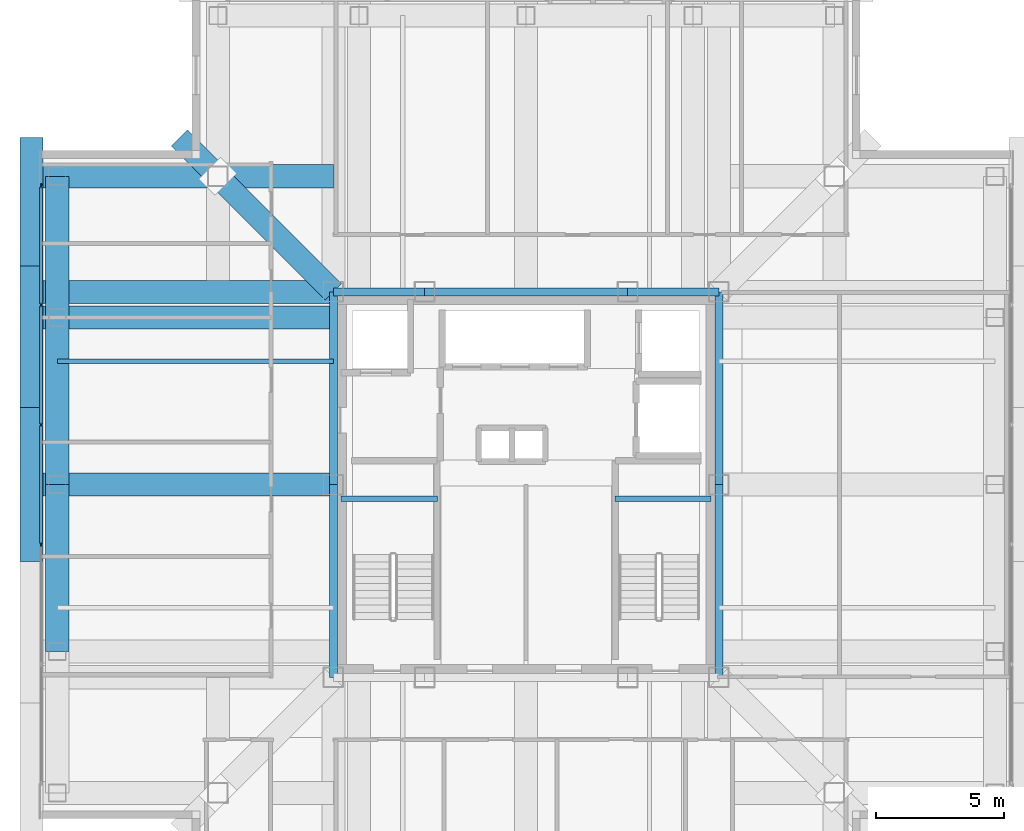
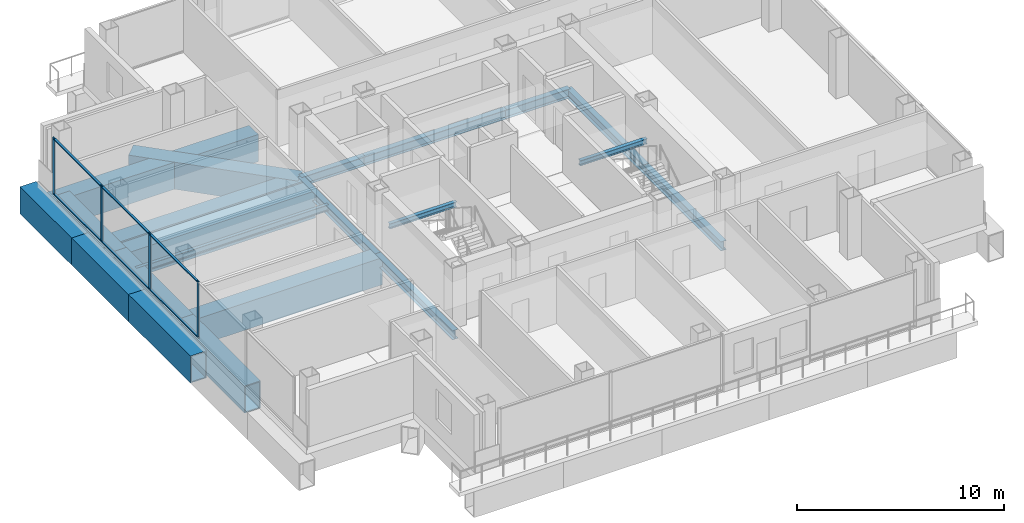
# One storey, part 4 of 15: 21 beams, 10 members, 1 element without a shape of its own.
"""IFC4 building model written with IfcOpenShell, lengths in metres."""

from ifc_helpers import new_model, si_unit, direction, frame, origin, origin_2d, place, context, subcontext, project, spatial, rectangle, hollow_rectangle, i_section, extrude, material, layer, layer_set, material_profile, profile_set, type_object, element, aggregate, save


model = new_model("IFC4")

# Units and contexts
model_context = context("Model", 3, precision=1e-05, world=origin(), true_north=direction((0.0, 1.0)))
body_context = subcontext(model_context, "Body", "Model", "MODEL_VIEW")
ifc_project = project(units=[si_unit("LENGTHUNIT", "METRE"), si_unit("AREAUNIT", "SQUARE_METRE"), si_unit("VOLUMEUNIT", "CUBIC_METRE"), si_unit("PLANEANGLEUNIT", "RADIAN"), si_unit("MASSUNIT", "GRAM", prefix="KILO")], contexts=[model_context])

# Site, building, storey
site_placement = place(None, origin())
site = spatial("IfcSite", under=ifc_project, at=site_placement, CompositionType="ELEMENT")
building_placement = place(site_placement, origin())
building = spatial("IfcBuilding", under=site, at=building_placement, Name="Trevonay Congress Spire", CompositionType="ELEMENT")
storey_placement = place(building_placement, frame((0.0, 0.0, 232.39990234375)))
storey = spatial("IfcBuildingStorey", under=building, at=storey_placement, Name="L60", CompositionType="ELEMENT", Elevation=232.39990234375)

# Beams
ifc_material_1 = material(Name="Steel ASTM A572 Grade 50", Category="steel")
ifc_material_profile_1 = material_profile(ifc_material_1, i_section(OverallWidth=0.31201171875, OverallDepth=0.54296875, WebThickness=0.0126953125, FlangeThickness=0.020263671875, FilletRadius=0.014892578125, at=origin_2d()), Name="W530x150")
ifc_profile_set_1 = profile_set([ifc_material_profile_1], Name="Steel ASTM A572 Grade 50")
beam_type_1 = type_object("IfcBeamType", Name="BM-GIRD-W530X150", PredefinedType="BEAM", material=ifc_profile_set_1)
beam_1_placement = place(storey_placement, frame((-7.5, 7.5, -0.67138671875), z_axis=(1.0, 0.0, 0.0), x_axis=(0.0, 1.0, 0.0)))
element("IfcBeam", 1, at=beam_1_placement, inside=storey, type_object=beam_type_1, Name="L60 structural beam BM-L60-CR-N1", PredefinedType="BEAM", context=body_context, shape_type="SweptSolid", body=[
    extrude(i_section(OverallWidth=0.31201171875, OverallDepth=0.54296875, WebThickness=0.0126953125, FlangeThickness=0.020263671875, FilletRadius=0.014892578125, at=origin_2d()), origin(), (0.0, 0.0, 1.0), 3.550048828125),
])
beam_2_placement = place(storey_placement, frame((-3.949951171875, 7.5, -0.67138671875), z_axis=(1.0, 0.0, 0.0), x_axis=(0.0, 1.0, 0.0)))
element("IfcBeam", 2, at=beam_2_placement, inside=storey, type_object=beam_type_1, Name="L60 structural beam BM-L60-CR-N2", PredefinedType="BEAM", context=body_context, shape_type="SweptSolid", body=[
    extrude(i_section(OverallWidth=0.31201171875, OverallDepth=0.54296875, WebThickness=0.0126953125, FlangeThickness=0.020263671875, FilletRadius=0.014892578125, at=origin_2d()), origin(), (0.0, 0.0, 1.0), 7.89990234375),
])
beam_3_placement = place(storey_placement, frame((3.949951171875, 7.5, -0.67138671875), z_axis=(1.0, 0.0, 0.0), x_axis=(0.0, 1.0, 0.0)))
element("IfcBeam", 3, at=beam_3_placement, inside=storey, type_object=beam_type_1, Name="L60 structural beam BM-L60-CR-N3", PredefinedType="BEAM", context=body_context, shape_type="SweptSolid", body=[
    extrude(i_section(OverallWidth=0.31201171875, OverallDepth=0.54296875, WebThickness=0.0126953125, FlangeThickness=0.020263671875, FilletRadius=0.014892578125, at=origin_2d()), origin(), (0.0, 0.0, 1.0), 3.550048828125),
])
for number, where, z_axis, x_axis, name in (
    (4, (-7.5, -7.5, -0.67138671875), (0.0, 1.0, 0.0), (-1.0, 0.0, 0.0), "L60 structural beam BM-L60-CR-W1"),
    (5, (-7.5, 0.0, -0.67138671875), (0.0, 1.0, 0.0), (-1.0, 0.0, 0.0), "L60 structural beam BM-L60-CR-W2"),
    (6, (7.5, -7.5, -0.67138671875), (0.0, 1.0, 0.0), (-1.0, 0.0, 0.0), "L60 structural beam BM-L60-CR-E1"),
    (7, (7.5, 0.0, -0.67138671875), (0.0, 1.0, 0.0), (-1.0, 0.0, 0.0), "L60 structural beam BM-L60-CR-E2"),
):
    element("IfcBeam", number, at=place(storey_placement, frame(where, z_axis=z_axis, x_axis=x_axis)), inside=storey, type_object=beam_type_1, Name=name, PredefinedType="BEAM", context=body_context, shape_type="SweptSolid", body=[
        extrude(i_section(OverallWidth=0.31201171875, OverallDepth=0.54296875, WebThickness=0.0126953125, FlangeThickness=0.020263671875, FilletRadius=0.014892578125, at=origin_2d()), origin(), (0.0, 0.0, 1.0), 7.5),
    ])
ifc_material_profile_2 = material_profile(ifc_material_1, hollow_rectangle(XDim=0.89990234375, YDim=1.60009765625, WallThickness=0.06005859375, at=origin_2d()), Name="BOX 1600x900x60")
ifc_profile_set_2 = profile_set([ifc_material_profile_2], Name="Steel ASTM A572 Grade 50")
beam_type_2 = type_object("IfcBeamType", Name="BM-RING-BOX1600", PredefinedType="BEAM", material=ifc_profile_set_2)
for number, where, z_axis, x_axis, name in (
    (8, (-18.25, -6.5, -1.199951171875), (0.0, 1.0, 0.0), (-1.0, 0.0, 0.0), "L60 structural beam BM-L60-PW2"),
    (9, (-18.25, 0.0, -1.199951171875), (0.0, 1.0, 0.0), (-1.0, 0.0, 0.0), "L60 structural beam BM-L60-PW3"),
):
    element("IfcBeam", number, at=place(storey_placement, frame(where, z_axis=z_axis, x_axis=x_axis)), inside=storey, type_object=beam_type_2, Name=name, PredefinedType="BEAM", context=body_context, shape_type="SweptSolid", body=[
        extrude(hollow_rectangle(XDim=0.89990234375, YDim=1.60009765625, WallThickness=0.06005859375, at=origin_2d()), origin(), (0.0, 0.0, 1.0), 6.5),
    ])
beam_4_placement = place(storey_placement, frame((-18.25, 6.5, -1.199951171875), z_axis=(0.0, 1.0, 0.0), x_axis=(-1.0, 0.0, 0.0)))
element("IfcBeam", 10, at=beam_4_placement, inside=storey, type_object=beam_type_2, Name="L60 structural beam BM-L60-PW4", PredefinedType="BEAM", context=body_context, shape_type="SweptSolid", body=[
    extrude(hollow_rectangle(XDim=0.89990234375, YDim=1.60009765625, WallThickness=0.06005859375, at=origin_2d()), origin(), (0.0, 0.0, 1.0), 5.5),
])
beam_5_placement = place(storey_placement, frame((-19.25, -3.0, -1.199951171875), z_axis=(0.0, 1.0, 0.0), x_axis=(-1.0, 0.0, 0.0)))
element("IfcBeam", 11, at=beam_5_placement, inside=storey, type_object=beam_type_2, Name="L60 structural beam XOUT-L60-W2", PredefinedType="BEAM", context=body_context, shape_type="SweptSolid", body=[
    extrude(hollow_rectangle(XDim=0.89990234375, YDim=1.60009765625, WallThickness=0.06005859375, at=origin_2d()), origin(), (0.0, 0.0, 1.0), 6.0),
])
beam_6_placement = place(storey_placement, frame((-19.25, 3.0, -1.199951171875), z_axis=(0.0, 1.0, 0.0), x_axis=(-1.0, 0.0, 0.0)))
element("IfcBeam", 12, at=beam_6_placement, inside=storey, type_object=beam_type_2, Name="L60 structural beam XOUT-L60-W3", PredefinedType="BEAM", context=body_context, shape_type="SweptSolid", body=[
    extrude(hollow_rectangle(XDim=0.89990234375, YDim=1.60009765625, WallThickness=0.06005859375, at=origin_2d()), origin(), (0.0, 0.0, 1.0), 5.5),
])
beam_7_placement = place(storey_placement, frame((-19.25, 8.5, -1.199951171875), z_axis=(0.0, 1.0, 0.0), x_axis=(-1.0, 0.0, 0.0)))
element("IfcBeam", 13, at=beam_7_placement, inside=storey, type_object=beam_type_2, Name="L60 structural beam XOUT-L60-W4", PredefinedType="BEAM", context=body_context, shape_type="SweptSolid", body=[
    extrude(hollow_rectangle(XDim=0.89990234375, YDim=1.60009765625, WallThickness=0.06005859375, at=origin_2d()), origin(), (0.0, 0.0, 1.0), 5.0),
])
ifc_material_profile_3 = material_profile(ifc_material_1, hollow_rectangle(XDim=0.89990234375, YDim=1.60009765625, WallThickness=0.06005859375, at=origin_2d()), Name="BOX 1600x900x60")
ifc_profile_set_3 = profile_set([ifc_material_profile_3], Name="Steel ASTM A572 Grade 50")
beam_type_3 = type_object("IfcBeamType", Name="BM-XFER-BOX1600", PredefinedType="BEAM", material=ifc_profile_set_3)
beam_8_placement = place(storey_placement, frame((-7.5, 7.5, -1.199951171875), z_axis=(-0.707106781187, 0.707106781187, 0.0), x_axis=(-0.707106781187, -0.707106781187, 0.0)))
element("IfcBeam", 14, at=beam_8_placement, inside=storey, type_object=beam_type_3, Name="L60 structural beam BM-L60-CDNW", PredefinedType="BEAM", context=body_context, shape_type="SweptSolid", body=[
    extrude(hollow_rectangle(XDim=0.89990234375, YDim=1.60009765625, WallThickness=0.06005859375, at=origin_2d()), origin(), (0.0, 0.0, 1.0), 8.4853515625),
])
for number, where, z_axis, x_axis, name in (
    (15, (-7.5, 7.5, -1.199951171875), (-1.0, 0.0, 0.0), (0.0, -1.0, 0.0), "L60 structural beam XSPN-L60-CX-NW"),
    (16, (-7.5, 0.0, -1.199951171875), (-1.0, 0.0, 0.0), (0.0, -1.0, 0.0), "L60 structural beam XFER-L60-W2"),
    (17, (-7.5, 6.5, -1.199951171875), (-1.0, 0.0, 0.0), (0.0, -1.0, 0.0), "L60 structural beam XFER-L60-W3"),
    (18, (-7.5, 12.0, -1.199951171875), (-1.0, 0.0, 0.0), (0.0, -1.0, 0.0), "L60 structural beam XFER-L60-W4"),
):
    element("IfcBeam", number, at=place(storey_placement, frame(where, z_axis=z_axis, x_axis=x_axis)), inside=storey, type_object=beam_type_3, Name=name, PredefinedType="BEAM", context=body_context, shape_type="SweptSolid", body=[
        extrude(hollow_rectangle(XDim=0.89990234375, YDim=1.60009765625, WallThickness=0.06005859375, at=origin_2d()), origin(), (0.0, 0.0, 1.0), 11.75),
    ])

# Curtain wall, members
ifc_material_2 = material(Name="Pale Anodised Aluminium EN AW-6063-T6", Category="aluminium")
ifc_layer = layer(ifc_material_2, 0.1650390625, Name="Pale Anodised Aluminium EN AW-6063-T6")
ifc_layer_set = layer_set([ifc_layer], Name="Pale Anodised Aluminium EN AW-6063-T6")
curtain_wall_type = type_object("IfcCurtainWallType", Name="CW-SYS05-DIPLOM-PALE-METAL", PredefinedType="NOTDEFINED", material=ifc_layer_set)
curtain_wall_placement = place(storey_placement, origin())
curtain_wall = element("IfcCurtainWall", 19, at=curtain_wall_placement, inside=storey, type_object=curtain_wall_type, Name="L60 W unitised curtain wall", PredefinedType="NOTDEFINED")
ifc_material_profile_4 = material_profile(ifc_material_2, rectangle(XDim=0.06005859375, YDim=0.159912109375, at=origin_2d()), Name="CW-MULLION-160-ALUMINIUM")
ifc_profile_set_4 = profile_set([ifc_material_profile_4], Name="Pale Anodised Aluminium EN AW-6063-T6")
member_type_1 = type_object("IfcMemberType", Name="CW-MULLION-160-ALUMINIUM", PredefinedType="MULLION", material=ifc_profile_set_4)
member_1_placement = place(storey_placement, frame((-18.8798828125, -2.330078125, 0.0), z_axis=(0.0, 0.0, 1.0), x_axis=(-1.0, 0.0, 0.0)))
member_1 = element("IfcMember", 20, at=member_1_placement, type_object=member_type_1, Name="CW05 mullion 3", PredefinedType="MULLION", context=body_context, shape_type="SweptSolid", body=[
    extrude(rectangle(XDim=0.06005859375, YDim=0.159912109375, at=origin_2d()), origin(), (0.0, 0.0, 1.0), 3.360107421875),
])
member_2_placement = place(storey_placement, frame((-18.8798828125, 2.330078125, 0.0), z_axis=(0.0, 0.0, 1.0), x_axis=(-1.0, 0.0, 0.0)))
member_2 = element("IfcMember", 21, at=member_2_placement, type_object=member_type_1, Name="CW05 mullion 4", PredefinedType="MULLION", context=body_context, shape_type="SweptSolid", body=[
    extrude(rectangle(XDim=0.06005859375, YDim=0.159912109375, at=origin_2d()), origin(), (0.0, 0.0, 1.0), 3.360107421875),
])
member_3_placement = place(storey_placement, frame((-18.8798828125, 6.989990234375, 0.0), z_axis=(0.0, 0.0, 1.0), x_axis=(-1.0, 0.0, 0.0)))
member_3 = element("IfcMember", 22, at=member_3_placement, type_object=member_type_1, Name="CW05 mullion 5", PredefinedType="MULLION", context=body_context, shape_type="SweptSolid", body=[
    extrude(rectangle(XDim=0.06005859375, YDim=0.159912109375, at=origin_2d()), origin(), (0.0, 0.0, 1.0), 3.360107421875),
])
member_4_placement = place(storey_placement, frame((-18.8798828125, 11.6201171875, 0.0), z_axis=(0.0, 0.0, 1.0), x_axis=(-1.0, 0.0, 0.0)))
member_4 = element("IfcMember", 23, at=member_4_placement, type_object=member_type_1, Name="CW05 mullion 6", PredefinedType="MULLION", context=body_context, shape_type="SweptSolid", body=[
    extrude(rectangle(XDim=0.06005859375, YDim=0.159912109375, at=origin_2d()), origin(), (0.0, 0.0, 1.0), 3.360107421875),
])
ifc_material_profile_5 = material_profile(ifc_material_2, rectangle(XDim=0.1201171875, YDim=0.06005859375, at=origin_2d()), Name="CW-TRANSOM-120-ALUMINIUM")
ifc_profile_set_5 = profile_set([ifc_material_profile_5], Name="Pale Anodised Aluminium EN AW-6063-T6")
member_type_2 = type_object("IfcMemberType", Name="CW-TRANSOM-120-ALUMINIUM", PredefinedType="USERDEFINED", material=ifc_profile_set_5)
member_5_placement = place(storey_placement, frame((-18.8798828125, -2.300048828125, 0.06005859375), z_axis=(0.0, 1.0, 0.0), x_axis=(-1.0, 0.0, 0.0)))
member_5 = element("IfcMember", 24, at=member_5_placement, type_object=member_type_2, Name="CW05 transom 3.1", ObjectType="TRANSOM", PredefinedType="USERDEFINED", context=body_context, shape_type="SweptSolid", body=[
    extrude(rectangle(XDim=0.1201171875, YDim=0.06005859375, at=origin_2d()), origin(), (0.0, 0.0, 1.0), 4.60009765625),
])
member_6_placement = place(storey_placement, frame((-18.8798828125, -2.300048828125, 3.300048828125), z_axis=(0.0, 1.0, 0.0), x_axis=(-1.0, 0.0, 0.0)))
member_6 = element("IfcMember", 25, at=member_6_placement, type_object=member_type_2, Name="CW05 transom 3.2", ObjectType="TRANSOM", PredefinedType="USERDEFINED", context=body_context, shape_type="SweptSolid", body=[
    extrude(rectangle(XDim=0.1201171875, YDim=0.06005859375, at=origin_2d()), origin(), (0.0, 0.0, 1.0), 4.60009765625),
])
member_7_placement = place(storey_placement, frame((-18.8798828125, 2.360107421875, 0.06005859375), z_axis=(0.0, 1.0, 0.0), x_axis=(-1.0, 0.0, 0.0)))
member_7 = element("IfcMember", 26, at=member_7_placement, type_object=member_type_2, Name="CW05 transom 4.1", ObjectType="TRANSOM", PredefinedType="USERDEFINED", context=body_context, shape_type="SweptSolid", body=[
    extrude(rectangle(XDim=0.1201171875, YDim=0.06005859375, at=origin_2d()), origin(), (0.0, 0.0, 1.0), 4.599853515625),
])
member_8_placement = place(storey_placement, frame((-18.8798828125, 2.360107421875, 3.300048828125), z_axis=(0.0, 1.0, 0.0), x_axis=(-1.0, 0.0, 0.0)))
member_8 = element("IfcMember", 27, at=member_8_placement, type_object=member_type_2, Name="CW05 transom 4.2", ObjectType="TRANSOM", PredefinedType="USERDEFINED", context=body_context, shape_type="SweptSolid", body=[
    extrude(rectangle(XDim=0.1201171875, YDim=0.06005859375, at=origin_2d()), origin(), (0.0, 0.0, 1.0), 4.599853515625),
])
member_9_placement = place(storey_placement, frame((-18.8798828125, 7.02001953125, 0.06005859375), z_axis=(0.0, 1.0, 0.0), x_axis=(-1.0, 0.0, 0.0)))
member_9 = element("IfcMember", 28, at=member_9_placement, type_object=member_type_2, Name="CW05 transom 5.1", ObjectType="TRANSOM", PredefinedType="USERDEFINED", context=body_context, shape_type="SweptSolid", body=[
    extrude(rectangle(XDim=0.1201171875, YDim=0.06005859375, at=origin_2d()), origin(), (0.0, 0.0, 1.0), 4.570068359375),
])
member_10_placement = place(storey_placement, frame((-18.8798828125, 7.02001953125, 3.300048828125), z_axis=(0.0, 1.0, 0.0), x_axis=(-1.0, 0.0, 0.0)))
member_10 = element("IfcMember", 29, at=member_10_placement, type_object=member_type_2, Name="CW05 transom 5.2", ObjectType="TRANSOM", PredefinedType="USERDEFINED", context=body_context, shape_type="SweptSolid", body=[
    extrude(rectangle(XDim=0.1201171875, YDim=0.06005859375, at=origin_2d()), origin(), (0.0, 0.0, 1.0), 4.570068359375),
])
aggregate(curtain_wall, [member_1, member_2, member_3, member_4, member_5, member_6, member_7, member_8, member_9, member_10])

# Beams
ifc_material_profile_6 = material_profile(ifc_material_1, i_section(OverallWidth=0.172119140625, OverallDepth=0.35791015625, WebThickness=0.0078125, FlangeThickness=0.01318359375, FilletRadius=0.011962890625, at=origin_2d()), Name="W360x57.8")
ifc_profile_set_6 = profile_set([ifc_material_profile_6], Name="Steel ASTM A572 Grade 50")
beam_type_4 = type_object("IfcBeamType", Name="JS-COMP-W360X57", PredefinedType="JOIST", material=ifc_profile_set_6)
beam_9_placement = place(storey_placement, frame((-18.25, 4.800048828125, -0.578857421875), z_axis=(1.0, 0.0, 0.0), x_axis=(0.0, 1.0, 0.0)))
element("IfcBeam", 30, at=beam_9_placement, inside=storey, type_object=beam_type_4, Name="L60 structural beam JS-L60-EW-W3", PredefinedType="JOIST", context=body_context, shape_type="SweptSolid", body=[
    extrude(i_section(OverallWidth=0.172119140625, OverallDepth=0.35791015625, WebThickness=0.0078125, FlangeThickness=0.01318359375, FilletRadius=0.011962890625, at=origin_2d()), origin(), (0.0, 0.0, 1.0), 10.75),
])
ifc_material_profile_7 = material_profile(ifc_material_1, i_section(OverallWidth=0.2041015625, OverallDepth=0.305908203125, WebThickness=0.008544921875, FlangeThickness=0.0146484375, FilletRadius=0.010986328125, at=origin_2d()), Name="W310x67")
ifc_profile_set_7 = profile_set([ifc_material_profile_7], Name="Steel ASTM A572 Grade 50")
beam_type_5 = type_object("IfcBeamType", Name="LN-CORE-W310X67", PredefinedType="LINTEL", material=ifc_profile_set_7)
for number, where, z_axis, x_axis, name in (
    (31, (-7.199951171875, -0.550048828125, 1.447021484375), (1.0, 0.0, 0.0), (0.0, 1.0, 0.0), "L60 structural beam BM-L60-HL-ST1"),
    (32, (3.449951171875, -0.550048828125, 1.447021484375), (1.0, 0.0, 0.0), (0.0, 1.0, 0.0), "L60 structural beam BM-L60-HL-ST2"),
):
    element("IfcBeam", number, at=place(storey_placement, frame(where, z_axis=z_axis, x_axis=x_axis)), inside=storey, type_object=beam_type_5, Name=name, PredefinedType="LINTEL", context=body_context, shape_type="SweptSolid", body=[
        extrude(i_section(OverallWidth=0.2041015625, OverallDepth=0.305908203125, WebThickness=0.008544921875, FlangeThickness=0.0146484375, FilletRadius=0.010986328125, at=origin_2d()), origin(), (0.0, 0.0, 1.0), 3.75),
    ])

save(model, "model.ifc")
